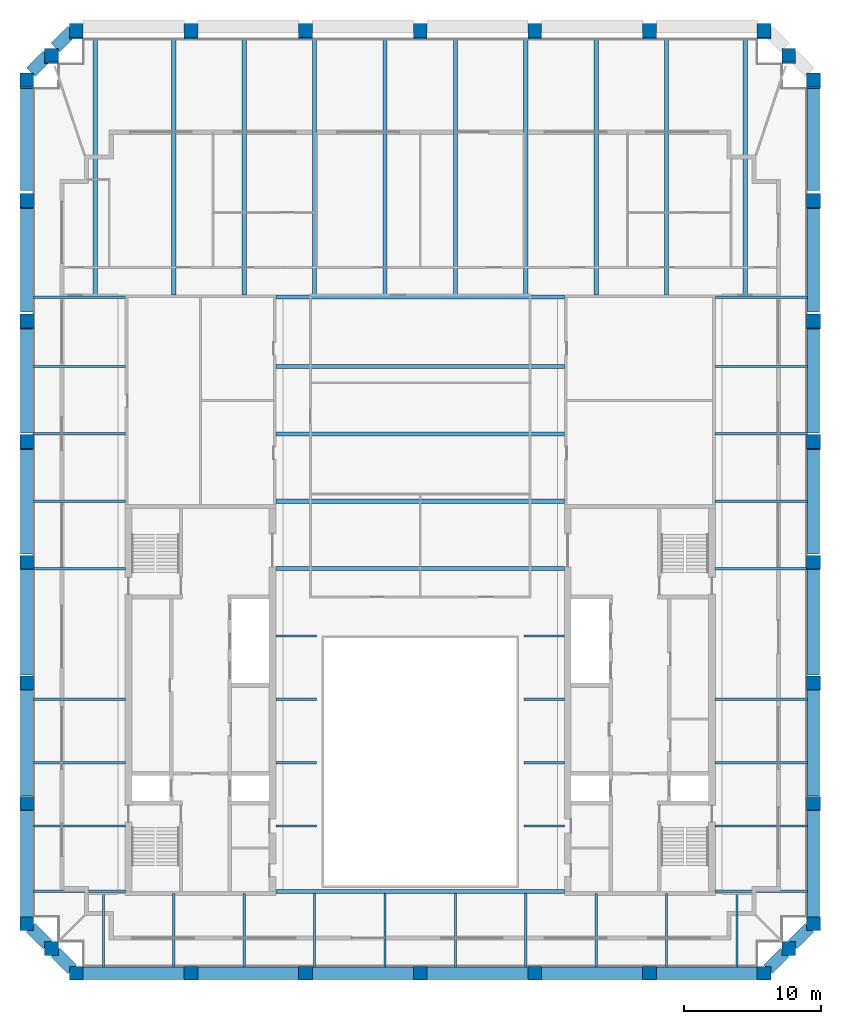
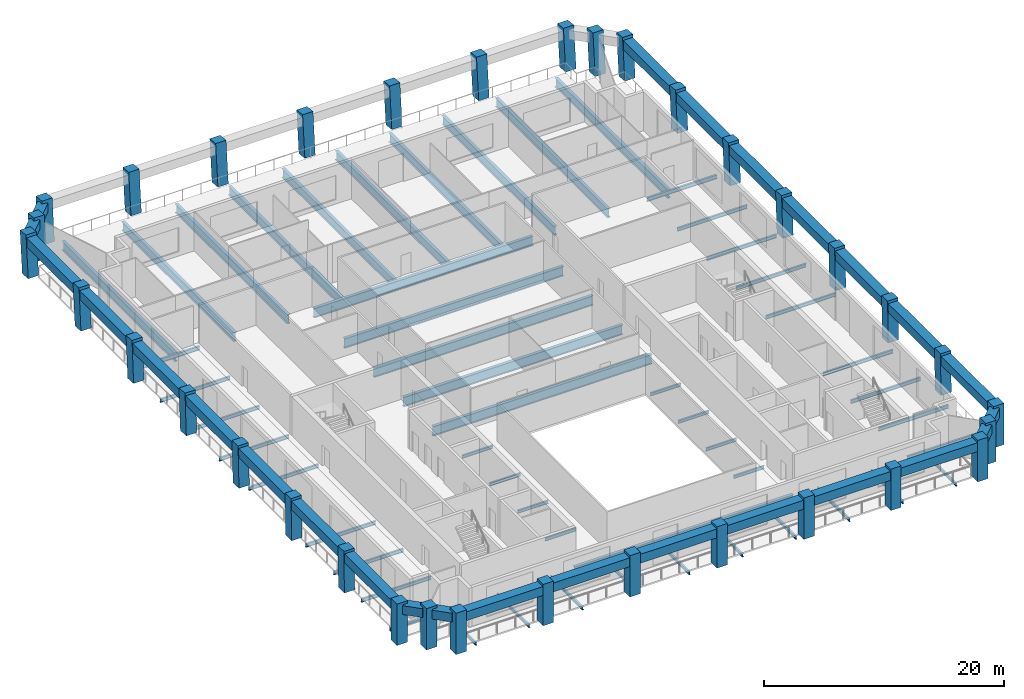
# One storey, part 1 of 9: 78 beams, 34 columns.
"""IFC4 building model written with IfcOpenShell, lengths in metres."""

import ifcopenshell
import ifcopenshell.guid

model = None  # the IFC model being written
_history = None  # IfcOwnerHistory: only IFC2X3 demands one
_inside = {}  # id of a spatial element -> (the spatial element, [elements in it])
_under = {}  # id of a project, library or spatial element -> (it, [spatial elements below it])
_declared = {}  # id of a project -> (the project, [libraries it declares])
_typed = {}  # id of a type object -> (the type object, [elements of that type])
_made_of = {}  # id of a material, layer set ... -> (it, [elements and type objects made of it])


def new_model(schema):
    """Start an empty IFC model of exactly this schema.

    Asked for "IFC4X3", IfcOpenShell would pick the latest addendum, in which some entities
    have other attributes; the version numbers below select the first issue.
    IFC2X3 requires an IfcOwnerHistory on every rooted entity: one is made here for all.
    """
    global model, _history
    if schema == "IFC4X3":
        model = ifcopenshell.file(schema_version=(4, 3, 0, 0))
    else:
        model = ifcopenshell.file(schema=schema)
    _inside.clear()
    _under.clear()
    _declared.clear()
    _typed.clear()
    _made_of.clear()
    _history = None
    if model.schema == "IFC2X3":
        org = make("IfcOrganization", Name="unknown")
        user = make(
            "IfcPersonAndOrganization",
            ThePerson=make("IfcPerson", FamilyName="unknown"),
            TheOrganization=org,
        )
        app = make(
            "IfcApplication",
            ApplicationDeveloper=org,
            Version="unknown",
            ApplicationFullName="unknown",
            ApplicationIdentifier="unknown",
        )
        _history = make(
            "IfcOwnerHistory",
            OwningUser=user,
            OwningApplication=app,
            ChangeAction="ADDED",
            CreationDate=0,
        )
    return model


def make(cls, **values):
    """One entity of the class cls with the attributes given. An attribute that is None is left unset."""
    return model.create_entity(
        cls, **{name: value for name, value in values.items() if value is not None}
    )


def rooted(cls, **values):
    """An entity with a GlobalId (a new one), such as an element, a storey or a relation."""
    return make(cls, GlobalId=ifcopenshell.guid.new(), OwnerHistory=_history, **values)


def si_unit(unit_type, name, prefix=None):
    """IfcSIUnit, for example si_unit("LENGTHUNIT", "METRE", prefix="MILLI")."""
    return make("IfcSIUnit", UnitType=unit_type, Prefix=prefix, Name=name)


def assignment(units):
    """IfcUnitAssignment: the units of a project."""
    return None if units is None else make("IfcUnitAssignment", Units=units)


def point(xyz):
    """IfcCartesianPoint."""
    return None if xyz is None else make("IfcCartesianPoint", Coordinates=xyz)


def direction(xyz):
    """IfcDirection."""
    return None if xyz is None else make("IfcDirection", DirectionRatios=xyz)


def frame(location, z_axis=None, x_axis=None):
    """IfcAxis2Placement3D, a coordinate frame: its origin and axes. An axis left out is left unset."""
    return make(
        "IfcAxis2Placement3D",
        Location=point(location),
        Axis=direction(z_axis),
        RefDirection=direction(x_axis),
    )


def frame_2d(location, x_axis=None):
    """IfcAxis2Placement2D, a coordinate frame in the plane: its origin and x axis."""
    return make(
        "IfcAxis2Placement2D", Location=point(location), RefDirection=direction(x_axis)
    )


def origin():
    """The frame at (0, 0, 0) with its axes left unset."""
    return frame((0.0, 0.0, 0.0))


def origin_2d():
    """The frame at (0, 0) in the plane with its x axis left unset."""
    return frame_2d((0.0, 0.0))


def place(relative_to, where):
    """IfcLocalPlacement: puts the frame where relative to a parent placement (None: the world)."""
    return make(
        "IfcLocalPlacement", PlacementRelTo=relative_to, RelativePlacement=where
    )


def context(
    kind, dimensions, precision=None, world=None, true_north=None, identifier=None
):
    """IfcGeometricRepresentationContext, for example the 3D "Model" context."""
    return make(
        "IfcGeometricRepresentationContext",
        ContextIdentifier=identifier,
        ContextType=kind,
        CoordinateSpaceDimension=dimensions,
        Precision=precision,
        WorldCoordinateSystem=world,
        TrueNorth=true_north,
    )


def subcontext(parent, identifier, kind, view, scale=None):
    """IfcGeometricRepresentationSubContext, for example "Body" below "Model"."""
    return make(
        "IfcGeometricRepresentationSubContext",
        ContextIdentifier=identifier,
        ContextType=kind,
        ParentContext=parent,
        TargetScale=scale,
        TargetView=view,
    )


def project(units=None, contexts=None):
    """IfcProject with its units and contexts."""
    return rooted(
        "IfcProject",
        Name="project",
        RepresentationContexts=contexts,
        UnitsInContext=assignment(units),
    )


def spatial(cls, under=None, at=None, **own):
    """A site, building, storey or space (cls), placed at a placement, below another one or the project."""
    s = rooted(cls, ObjectPlacement=at, **own)
    if under is not None:
        _under.setdefault(under.id(), (under, []))[1].append(s)
    return s


def profile(cls, at=None, kind="AREA", **sizes):
    """A parametric profile (cls). Its sizes go by their IFC names, for example OverallWidth=200.0."""
    return make(cls, ProfileType=kind, Position=at, **sizes)


def rectangle(**sizes):
    """IfcRectangleProfileDef."""
    return profile("IfcRectangleProfileDef", **sizes)


def i_section(**sizes):
    """IfcIShapeProfileDef."""
    return profile("IfcIShapeProfileDef", **sizes)


def extrude(swept, where, along, depth):
    """IfcExtrudedAreaSolid: the profile swept, set in the frame where, extruded along a direction by depth."""
    return make(
        "IfcExtrudedAreaSolid",
        SweptArea=swept,
        Position=where,
        ExtrudedDirection=direction(along),
        Depth=depth,
    )


def shape(context_of_items, identifier, shape_type, items):
    """IfcShapeRepresentation: the items that make up one representation, for example the "Body"."""
    return make(
        "IfcShapeRepresentation",
        ContextOfItems=context_of_items,
        RepresentationIdentifier=identifier,
        RepresentationType=shape_type,
        Items=items,
    )


def material(Name=None, Category=None):
    """IfcMaterial."""
    return make("IfcMaterial", Name=Name, Category=Category)


def material_profile(
    of_material, cross_section, Name=None, Category=None, Priority=None
):
    """IfcMaterialProfile: a cross section and its material."""
    return make(
        "IfcMaterialProfile",
        Name=Name,
        Material=of_material,
        Profile=cross_section,
        Priority=Priority,
        Category=Category,
    )


def profile_set(profiles, Name=None, composite=None):
    """IfcMaterialProfileSet."""
    return make(
        "IfcMaterialProfileSet",
        Name=Name,
        MaterialProfiles=profiles,
        CompositeProfile=composite,
    )


def made_of(thing, what):
    """Note that an element or type object is made of a material, layer set ...; save() writes the relation."""
    if what is not None:
        _made_of.setdefault(what.id(), (what, []))[1].append(thing)
    return thing


def type_object(cls, material=None, **own):
    """A type object (cls), such as IfcWallType, which elements share."""
    return made_of(rooted(cls, **own), material)


def element(
    cls,
    number,
    at=None,
    inside=None,
    cuts=None,
    type_object=None,
    material=None,
    context=None,
    identifier="Body",
    shape_type=None,
    held_by="IfcProductDefinitionShape",
    body=None,
    shapes=None,
    **own,
):
    """One element of the class cls, such as IfcWall. Its Tag is "e" and its number.

    at: its placement. inside: the storey or other place that contains it. cuts: it is an
    opening in that element (IfcRelVoidsElement). A single representation is given by context,
    identifier, shape_type and body (its items); several are given by shapes. held_by: the class
    of the entity that holds the representations. save() writes the other relations.
    """
    e = rooted(cls, Tag="e%d" % number, ObjectPlacement=at, **own)
    if body is not None:
        shapes = [shape(context, identifier, shape_type, body)]
    if shapes is not None:
        e.Representation = make(held_by, Representations=shapes)
    if inside is not None:
        _inside.setdefault(inside.id(), (inside, []))[1].append(e)
    if cuts is not None:
        rooted(
            "IfcRelVoidsElement", RelatingBuildingElement=cuts, RelatedOpeningElement=e
        )
    if type_object is not None:
        _typed.setdefault(type_object.id(), (type_object, []))[1].append(e)
    return made_of(e, material)


def aggregate(whole, parts):
    """IfcRelAggregates: a whole, such as a stair, and the parts it consists of."""
    return rooted("IfcRelAggregates", RelatingObject=whole, RelatedObjects=parts)


def save(model, path):
    """Write the relations noted so far, then the file.

    IfcRelAggregates (storeys below a building ...), IfcRelContainedInSpatialStructure (elements
    in a storey), IfcRelDefinesByType, IfcRelAssociatesMaterial and IfcRelDeclares: one each for
    every whole, place, type object, material and project.
    """
    for whole, parts in _under.values():
        aggregate(whole, parts)
    for where, things in _inside.values():
        rooted(
            "IfcRelContainedInSpatialStructure",
            RelatedElements=things,
            RelatingStructure=where,
        )
    for kind, things in _typed.values():
        rooted("IfcRelDefinesByType", RelatedObjects=things, RelatingType=kind)
    for what, things in _made_of.values():
        rooted("IfcRelAssociatesMaterial", RelatedObjects=things, RelatingMaterial=what)
    for by, libraries in _declared.values():
        rooted("IfcRelDeclares", RelatingContext=by, RelatedDefinitions=libraries)
    model.write(path)


model = new_model("IFC4")

# Units and contexts
model_context = context("Model", 3, precision=1e-05, world=origin(), true_north=direction((0.0, 1.0)))
body_context = subcontext(model_context, "Body", "Model", "MODEL_VIEW")
ifc_project = project(units=[si_unit("LENGTHUNIT", "METRE"), si_unit("AREAUNIT", "SQUARE_METRE"), si_unit("VOLUMEUNIT", "CUBIC_METRE"), si_unit("PLANEANGLEUNIT", "RADIAN"), si_unit("MASSUNIT", "GRAM", prefix="KILO")], contexts=[model_context])

# Site, building, storey
site_placement = place(None, origin())
site = spatial("IfcSite", under=ifc_project, at=site_placement, CompositionType="ELEMENT")
building_placement = place(site_placement, origin())
building = spatial("IfcBuilding", under=site, at=building_placement, Name="Ogive Exchange Tower", CompositionType="ELEMENT")
storey_placement = place(building_placement, frame((0.0, 0.0, 355.199951171875)))
storey = spatial("IfcBuildingStorey", under=building, at=storey_placement, Name="L78", CompositionType="ELEMENT", Elevation=355.199951171875)

# Columns
ifc_material_1 = material(Name="Precast concrete C70/85 (limestone faced)", Category="masonry")
ifc_material_profile_1 = material_profile(ifc_material_1, rectangle(XDim=1.0, YDim=1.0, at=origin_2d()), Name="1000 x 1000")
ifc_profile_set_1 = profile_set([ifc_material_profile_1], Name="Precast concrete C70/85 (limestone faced)")
column_type = type_object("IfcColumnType", Name="Precast exoskeleton leg 1000 x 1000 C70/85", PredefinedType="COLUMN", material=ifc_profile_set_1)
for number, where, z_axis, x_axis, name in (
    (1, (-25.050048828125, -8.39990234375, 0.0), (0.0, 0.0, 1.0), (1.0, 0.0, 0.0), "Exoskeleton leg 1"),
    (2, (-16.699951171875, -8.39990234375, 0.0), (0.0, 0.0, 1.0), (1.0, 0.0, 0.0), "Exoskeleton leg 2"),
    (3, (-8.35009765625, -8.39990234375, 0.0), (0.0, 0.0, 1.0), (1.0, 0.0, 0.0), "Exoskeleton leg 3"),
    (4, (0.0, -8.39990234375, 0.0), (0.0, 0.0, 1.0), (1.0, 0.0, 0.0), "Exoskeleton leg 4"),
    (5, (8.35009765625, -8.39990234375, 0.0), (0.0, 0.0, 1.0), (1.0, 0.0, 0.0), "Exoskeleton leg 5"),
    (6, (16.699951171875, -8.39990234375, 0.0), (0.0, 0.0, 1.0), (1.0, 0.0, 0.0), "Exoskeleton leg 6"),
    (7, (25.050048828125, -8.39990234375, 0.0), (0.0, 0.0, 1.0), (1.0, 0.0, 0.0), "Exoskeleton leg 7"),
    (8, (28.64990234375, -4.800048828125, 0.0), (0.0, 0.0, 1.0), (1.0, 0.0, 0.0), "Exoskeleton leg 8"),
):
    element("IfcColumn", number, at=place(storey_placement, frame(where, z_axis=z_axis, x_axis=x_axis)), inside=storey, type_object=column_type, Name=name, PredefinedType="COLUMN", context=body_context, shape_type="SweptSolid", body=[
        extrude(rectangle(XDim=1.0, YDim=1.0, at=origin_2d()), origin(), (0.0, 0.0, 1.0), 4.199951171875),
    ])
column_1_placement = place(storey_placement, frame((28.64990234375, 3.963623046875, 0.0), z_axis=(0.0, 0.013019881024, 0.999915237757), x_axis=(-1.0, 0.0, 0.0)))
element("IfcColumn", 9, at=column_1_placement, inside=storey, type_object=column_type, Name="Exoskeleton leg 9", PredefinedType="COLUMN", context=body_context, shape_type="SweptSolid", body=[
    extrude(rectangle(XDim=1.0, YDim=1.0, at=origin_2d()), origin(), (0.0, 0.0, 1.0), 4.2001953125),
])
column_2_placement = place(storey_placement, frame((28.64990234375, 12.727294921875, 0.0), z_axis=(0.0, 0.025975072843, 0.999662590873), x_axis=(-1.0, 0.0, 0.0)))
element("IfcColumn", 10, at=column_2_placement, inside=storey, type_object=column_type, Name="Exoskeleton leg 10", PredefinedType="COLUMN", context=body_context, shape_type="SweptSolid", body=[
    extrude(rectangle(XDim=1.0, YDim=1.0, at=origin_2d()), origin(), (0.0, 0.0, 1.0), 4.201416015625),
])
column_3_placement = place(storey_placement, frame((28.64990234375, 21.490966796875, 0.0), z_axis=(0.0, 0.038917190853, 0.999242439179), x_axis=(-1.0, 0.0, 0.0)))
element("IfcColumn", 11, at=column_3_placement, inside=storey, type_object=column_type, Name="Exoskeleton leg 11", PredefinedType="COLUMN", context=body_context, shape_type="SweptSolid", body=[
    extrude(rectangle(XDim=1.0, YDim=1.0, at=origin_2d()), origin(), (0.0, 0.0, 1.0), 4.203125),
])
column_4_placement = place(storey_placement, frame((28.64990234375, 30.25439453125, 0.0), z_axis=(0.0, 0.051897648879, 0.99865240902), x_axis=(-1.0, 0.0, 0.0)))
element("IfcColumn", 12, at=column_4_placement, inside=storey, type_object=column_type, Name="Exoskeleton leg 12", PredefinedType="COLUMN", context=body_context, shape_type="SweptSolid", body=[
    extrude(rectangle(XDim=1.0, YDim=1.0, at=origin_2d()), origin(), (0.0, 0.0, 1.0), 4.20556640625),
])
column_5_placement = place(storey_placement, frame((28.64990234375, 39.018310546875, 0.0), z_axis=(0.0, 0.064794093908, 0.997898654872), x_axis=(-1.0, 0.0, 0.0)))
element("IfcColumn", 13, at=column_5_placement, inside=storey, type_object=column_type, Name="Exoskeleton leg 13", PredefinedType="COLUMN", context=body_context, shape_type="SweptSolid", body=[
    extrude(rectangle(XDim=1.0, YDim=1.0, at=origin_2d()), origin(), (0.0, 0.0, 1.0), 4.208740234375),
])
column_6_placement = place(storey_placement, frame((28.64990234375, 47.78173828125, 0.0), z_axis=(0.0, 0.07771576013, 0.996975556685), x_axis=(-1.0, 0.0, 0.0)))
element("IfcColumn", 14, at=column_6_placement, inside=storey, type_object=column_type, Name="Exoskeleton leg 14", PredefinedType="COLUMN", context=body_context, shape_type="SweptSolid", body=[
    extrude(rectangle(XDim=1.0, YDim=1.0, at=origin_2d()), origin(), (0.0, 0.0, 1.0), 4.212646484375),
])
for number, where, z_axis, x_axis, name in (
    (15, (28.64990234375, 56.54541015625, 0.0), (0.0, 0.090540965689, 0.995892731941), (-1.0, 0.0, 0.0), "Exoskeleton leg 15"),
    (16, (25.050048828125, 60.1455078125, 0.0), (0.0, 0.090540965689, 0.995892731941), (-1.0, 0.0, 0.0), "Exoskeleton leg 16"),
    (17, (16.699951171875, 60.1455078125, 0.0), (0.0, 0.090540965689, 0.995892731941), (-1.0, 0.0, 0.0), "Exoskeleton leg 17"),
    (18, (8.35009765625, 60.1455078125, 0.0), (0.0, 0.090540965689, 0.995892731941), (-1.0, 0.0, 0.0), "Exoskeleton leg 18"),
    (19, (0.0, 60.1455078125, 0.0), (0.0, 0.090540965689, 0.995892731941), (-1.0, 0.0, 0.0), "Exoskeleton leg 19"),
    (20, (-8.35009765625, 60.1455078125, 0.0), (0.0, 0.090540965689, 0.995892731941), (-1.0, 0.0, 0.0), "Exoskeleton leg 20"),
    (21, (-16.699951171875, 60.1455078125, 0.0), (0.0, 0.090540965689, 0.995892731941), (-1.0, 0.0, 0.0), "Exoskeleton leg 21"),
    (22, (-25.050048828125, 60.1455078125, 0.0), (0.0, 0.090540965689, 0.995892731941), (-1.0, 0.0, 0.0), "Exoskeleton leg 22"),
    (23, (-28.64990234375, 56.54541015625, 0.0), (0.0, 0.090540965689, 0.995892731941), (-1.0, 0.0, 0.0), "Exoskeleton leg 23"),
):
    element("IfcColumn", number, at=place(storey_placement, frame(where, z_axis=z_axis, x_axis=x_axis)), inside=storey, type_object=column_type, Name=name, PredefinedType="COLUMN", context=body_context, shape_type="SweptSolid", body=[
        extrude(rectangle(XDim=1.0, YDim=1.0, at=origin_2d()), origin(), (0.0, 0.0, 1.0), 4.21728515625),
    ])
column_7_placement = place(storey_placement, frame((-28.64990234375, 47.78173828125, 0.0), z_axis=(0.0, 0.07771576013, 0.996975556685), x_axis=(-1.0, 0.0, 0.0)))
element("IfcColumn", 24, at=column_7_placement, inside=storey, type_object=column_type, Name="Exoskeleton leg 24", PredefinedType="COLUMN", context=body_context, shape_type="SweptSolid", body=[
    extrude(rectangle(XDim=1.0, YDim=1.0, at=origin_2d()), origin(), (0.0, 0.0, 1.0), 4.212646484375),
])
column_8_placement = place(storey_placement, frame((-28.64990234375, 39.018310546875, 0.0), z_axis=(0.0, 0.064794093908, 0.997898654872), x_axis=(-1.0, 0.0, 0.0)))
element("IfcColumn", 25, at=column_8_placement, inside=storey, type_object=column_type, Name="Exoskeleton leg 25", PredefinedType="COLUMN", context=body_context, shape_type="SweptSolid", body=[
    extrude(rectangle(XDim=1.0, YDim=1.0, at=origin_2d()), origin(), (0.0, 0.0, 1.0), 4.208740234375),
])
column_9_placement = place(storey_placement, frame((-28.64990234375, 30.25439453125, 0.0), z_axis=(0.0, 0.051897648879, 0.99865240902), x_axis=(-1.0, 0.0, 0.0)))
element("IfcColumn", 26, at=column_9_placement, inside=storey, type_object=column_type, Name="Exoskeleton leg 26", PredefinedType="COLUMN", context=body_context, shape_type="SweptSolid", body=[
    extrude(rectangle(XDim=1.0, YDim=1.0, at=origin_2d()), origin(), (0.0, 0.0, 1.0), 4.20556640625),
])
column_10_placement = place(storey_placement, frame((-28.64990234375, 21.490966796875, 0.0), z_axis=(0.0, 0.038917190853, 0.999242439179), x_axis=(-1.0, 0.0, 0.0)))
element("IfcColumn", 27, at=column_10_placement, inside=storey, type_object=column_type, Name="Exoskeleton leg 27", PredefinedType="COLUMN", context=body_context, shape_type="SweptSolid", body=[
    extrude(rectangle(XDim=1.0, YDim=1.0, at=origin_2d()), origin(), (0.0, 0.0, 1.0), 4.203125),
])
column_11_placement = place(storey_placement, frame((-28.64990234375, 12.727294921875, 0.0), z_axis=(0.0, 0.025975072843, 0.999662590873), x_axis=(-1.0, 0.0, 0.0)))
element("IfcColumn", 28, at=column_11_placement, inside=storey, type_object=column_type, Name="Exoskeleton leg 28", PredefinedType="COLUMN", context=body_context, shape_type="SweptSolid", body=[
    extrude(rectangle(XDim=1.0, YDim=1.0, at=origin_2d()), origin(), (0.0, 0.0, 1.0), 4.201416015625),
])
column_12_placement = place(storey_placement, frame((-28.64990234375, 3.963623046875, 0.0), z_axis=(0.0, 0.013019881024, 0.999915237757), x_axis=(-1.0, 0.0, 0.0)))
element("IfcColumn", 29, at=column_12_placement, inside=storey, type_object=column_type, Name="Exoskeleton leg 29", PredefinedType="COLUMN", context=body_context, shape_type="SweptSolid", body=[
    extrude(rectangle(XDim=1.0, YDim=1.0, at=origin_2d()), origin(), (0.0, 0.0, 1.0), 4.2001953125),
])
for number, where, z_axis, x_axis, name in (
    (30, (-28.64990234375, -4.800048828125, 0.0), (0.0, 0.0, 1.0), (1.0, 0.0, 0.0), "Exoskeleton leg 30"),
    (31, (26.85009765625, -6.60009765625, 0.0), (0.0, 0.0, 1.0), (1.0, 0.0, 0.0), "Exoskeleton leg 31"),
):
    element("IfcColumn", number, at=place(storey_placement, frame(where, z_axis=z_axis, x_axis=x_axis)), inside=storey, type_object=column_type, Name=name, PredefinedType="COLUMN", context=body_context, shape_type="SweptSolid", body=[
        extrude(rectangle(XDim=1.0, YDim=1.0, at=origin_2d()), origin(), (0.0, 0.0, 1.0), 4.199951171875),
    ])
for number, where, z_axis, x_axis, name in (
    (32, (26.85009765625, 58.345458984375, 0.0), (0.0, 0.090540965689, 0.995892731941), (-1.0, 0.0, 0.0), "Exoskeleton leg 32"),
    (33, (-26.85009765625, 58.345458984375, 0.0), (0.0, 0.090540965689, 0.995892731941), (-1.0, 0.0, 0.0), "Exoskeleton leg 33"),
):
    element("IfcColumn", number, at=place(storey_placement, frame(where, z_axis=z_axis, x_axis=x_axis)), inside=storey, type_object=column_type, Name=name, PredefinedType="COLUMN", context=body_context, shape_type="SweptSolid", body=[
        extrude(rectangle(XDim=1.0, YDim=1.0, at=origin_2d()), origin(), (0.0, 0.0, 1.0), 4.21728515625),
    ])
column_13_placement = place(storey_placement, frame((-26.85009765625, -6.60009765625, 0.0), z_axis=(0.0, 0.0, 1.0), x_axis=(1.0, 0.0, 0.0)))
element("IfcColumn", 34, at=column_13_placement, inside=storey, type_object=column_type, Name="Exoskeleton leg 34", PredefinedType="COLUMN", context=body_context, shape_type="SweptSolid", body=[
    extrude(rectangle(XDim=1.0, YDim=1.0, at=origin_2d()), origin(), (0.0, 0.0, 1.0), 4.199951171875),
])

# Beams
ifc_material_2 = material(Name="Steel ASTM A992 Gr50", Category="steel")
ifc_material_profile_2 = material_profile(ifc_material_2, i_section(OverallWidth=0.300048828125, OverallDepth=0.97998046875, WebThickness=0.0166015625, FlangeThickness=0.026123046875, at=origin_2d()), Name="W1000x249")
ifc_profile_set_2 = profile_set([ifc_material_profile_2], Name="Steel ASTM A992 Gr50")
beam_type_1 = type_object("IfcBeamType", Name="Floor beam W1000x249", PredefinedType="JOIST", material=ifc_profile_set_2)
for number, where, z_axis, x_axis, name in (
    (35, (-10.52001953125, 21.06201171875, -0.68994140625), (1.0, 0.0, 0.0), (0.0, 1.0, 0.0), "Floor beam"),
    (36, (-10.52001953125, 25.968994140625, -0.68994140625), (1.0, 0.0, 0.0), (0.0, 1.0, 0.0), "Floor beam"),
    (37, (-10.52001953125, 30.8759765625, -0.68994140625), (1.0, 0.0, 0.0), (0.0, 1.0, 0.0), "Floor beam"),
    (38, (-10.52001953125, 35.782958984375, -0.68994140625), (1.0, 0.0, 0.0), (0.0, 1.0, 0.0), "Floor beam"),
):
    element("IfcBeam", number, at=place(storey_placement, frame(where, z_axis=z_axis, x_axis=x_axis)), inside=storey, type_object=beam_type_1, Name=name, PredefinedType="JOIST", context=body_context, shape_type="SweptSolid", body=[
        extrude(i_section(OverallWidth=0.300048828125, OverallDepth=0.97998046875, WebThickness=0.0166015625, FlangeThickness=0.026123046875, at=origin_2d()), origin(), (0.0, 0.0, 1.0), 21.0400390625),
    ])
ifc_material_profile_3 = material_profile(ifc_material_2, i_section(OverallWidth=0.1650390625, OverallDepth=0.31005859375, WebThickness=0.005859375, FlangeThickness=0.009765625, at=origin_2d()), Name="W310x38.7")
ifc_profile_set_3 = profile_set([ifc_material_profile_3], Name="Steel ASTM A992 Gr50")
beam_type_2 = type_object("IfcBeamType", Name="Floor beam W310x38.7", PredefinedType="JOIST", material=ifc_profile_set_3)
for number, where, z_axis, x_axis, name in (
    (39, (-10.52001953125, 2.3212890625, -0.35498046875), (1.0, 0.0, 0.0), (0.0, 1.0, 0.0), "Floor beam"),
    (40, (7.570068359375, 2.3212890625, -0.35498046875), (1.0, 0.0, 0.0), (0.0, 1.0, 0.0), "Floor beam"),
    (41, (-10.52001953125, 6.9326171875, -0.35498046875), (1.0, 0.0, 0.0), (0.0, 1.0, 0.0), "Floor beam"),
    (42, (7.570068359375, 6.9326171875, -0.35498046875), (1.0, 0.0, 0.0), (0.0, 1.0, 0.0), "Floor beam"),
    (43, (-10.52001953125, 11.543701171875, -0.35498046875), (1.0, 0.0, 0.0), (0.0, 1.0, 0.0), "Floor beam"),
    (44, (7.570068359375, 11.543701171875, -0.35498046875), (1.0, 0.0, 0.0), (0.0, 1.0, 0.0), "Floor beam"),
):
    element("IfcBeam", number, at=place(storey_placement, frame(where, z_axis=z_axis, x_axis=x_axis)), inside=storey, type_object=beam_type_2, Name=name, PredefinedType="JOIST", context=body_context, shape_type="SweptSolid", body=[
        extrude(i_section(OverallWidth=0.1650390625, OverallDepth=0.31005859375, WebThickness=0.005859375, FlangeThickness=0.009765625, at=origin_2d()), origin(), (0.0, 0.0, 1.0), 2.949951171875),
    ])
beam_1_placement = place(storey_placement, frame((-23.07275390625, -7.949951171875, -0.35498046875), z_axis=(0.0, 1.0, 0.0), x_axis=(-1.0, 0.0, 0.0)))
element("IfcBeam", 45, at=beam_1_placement, inside=storey, type_object=beam_type_2, Name="Floor beam", PredefinedType="JOIST", context=body_context, shape_type="SweptSolid", body=[
    extrude(i_section(OverallWidth=0.1650390625, OverallDepth=0.31005859375, WebThickness=0.005859375, FlangeThickness=0.009765625, at=origin_2d()), origin(), (0.0, 0.0, 1.0), 5.416015625),
])
for number, where, z_axis, x_axis, name in (
    (46, (-17.945556640625, -7.949951171875, -0.35498046875), (0.0, 1.0, 0.0), (-1.0, 0.0, 0.0), "Floor beam"),
    (47, (-12.818115234375, -7.949951171875, -0.35498046875), (0.0, 1.0, 0.0), (-1.0, 0.0, 0.0), "Floor beam"),
):
    element("IfcBeam", number, at=place(storey_placement, frame(where, z_axis=z_axis, x_axis=x_axis)), inside=storey, type_object=beam_type_2, Name=name, PredefinedType="JOIST", context=body_context, shape_type="SweptSolid", body=[
        extrude(i_section(OverallWidth=0.1650390625, OverallDepth=0.31005859375, WebThickness=0.005859375, FlangeThickness=0.009765625, at=origin_2d()), origin(), (0.0, 0.0, 1.0), 5.349853515625),
    ])
for number, where, z_axis, x_axis, name in (
    (48, (-7.69091796875, -7.949951171875, -0.35498046875), (0.0, 1.0, 0.0), (-1.0, 0.0, 0.0), "Floor beam"),
    (49, (-2.563720703125, -7.949951171875, -0.35498046875), (0.0, 1.0, 0.0), (-1.0, 0.0, 0.0), "Floor beam"),
    (50, (2.563720703125, -7.949951171875, -0.35498046875), (0.0, 1.0, 0.0), (-1.0, 0.0, 0.0), "Floor beam"),
    (51, (7.69091796875, -7.949951171875, -0.35498046875), (0.0, 1.0, 0.0), (-1.0, 0.0, 0.0), "Floor beam"),
):
    element("IfcBeam", number, at=place(storey_placement, frame(where, z_axis=z_axis, x_axis=x_axis)), inside=storey, type_object=beam_type_2, Name=name, PredefinedType="JOIST", context=body_context, shape_type="SweptSolid", body=[
        extrude(i_section(OverallWidth=0.1650390625, OverallDepth=0.31005859375, WebThickness=0.005859375, FlangeThickness=0.009765625, at=origin_2d()), origin(), (0.0, 0.0, 1.0), 5.35498046875),
    ])
for number, where, z_axis, x_axis, name in (
    (52, (12.818115234375, -7.949951171875, -0.35498046875), (0.0, 1.0, 0.0), (-1.0, 0.0, 0.0), "Floor beam"),
    (53, (17.945556640625, -7.949951171875, -0.35498046875), (0.0, 1.0, 0.0), (-1.0, 0.0, 0.0), "Floor beam"),
):
    element("IfcBeam", number, at=place(storey_placement, frame(where, z_axis=z_axis, x_axis=x_axis)), inside=storey, type_object=beam_type_2, Name=name, PredefinedType="JOIST", context=body_context, shape_type="SweptSolid", body=[
        extrude(i_section(OverallWidth=0.1650390625, OverallDepth=0.31005859375, WebThickness=0.005859375, FlangeThickness=0.009765625, at=origin_2d()), origin(), (0.0, 0.0, 1.0), 5.349853515625),
    ])
beam_2_placement = place(storey_placement, frame((23.07275390625, -7.949951171875, -0.35498046875), z_axis=(0.0, 1.0, 0.0), x_axis=(-1.0, 0.0, 0.0)))
element("IfcBeam", 54, at=beam_2_placement, inside=storey, type_object=beam_type_2, Name="Floor beam", PredefinedType="JOIST", context=body_context, shape_type="SweptSolid", body=[
    extrude(i_section(OverallWidth=0.1650390625, OverallDepth=0.31005859375, WebThickness=0.005859375, FlangeThickness=0.009765625, at=origin_2d()), origin(), (0.0, 0.0, 1.0), 5.416015625),
])
ifc_material_profile_4 = material_profile(ifc_material_2, i_section(OverallWidth=0.1708984375, OverallDepth=0.35595703125, WebThickness=0.00732421875, FlangeThickness=0.01171875, at=origin_2d()), Name="W360x51")
ifc_profile_set_4 = profile_set([ifc_material_profile_4], Name="Steel ASTM A992 Gr50")
beam_type_3 = type_object("IfcBeamType", Name="Floor beam W360x51", PredefinedType="JOIST", material=ifc_profile_set_4)
for number, where, z_axis, x_axis, name in (
    (55, (-28.199951171875, 2.3212890625, -0.3779296875), (1.0, 0.0, 0.0), (0.0, 1.0, 0.0), "Floor beam"),
    (56, (21.47998046875, 2.3212890625, -0.3779296875), (1.0, 0.0, 0.0), (0.0, 1.0, 0.0), "Floor beam"),
    (57, (-28.199951171875, 6.9326171875, -0.3779296875), (1.0, 0.0, 0.0), (0.0, 1.0, 0.0), "Floor beam"),
    (58, (21.47998046875, 6.9326171875, -0.3779296875), (1.0, 0.0, 0.0), (0.0, 1.0, 0.0), "Floor beam"),
    (59, (-28.199951171875, 11.543701171875, -0.3779296875), (1.0, 0.0, 0.0), (0.0, 1.0, 0.0), "Floor beam"),
    (60, (21.47998046875, 11.543701171875, -0.3779296875), (1.0, 0.0, 0.0), (0.0, 1.0, 0.0), "Floor beam"),
    (61, (-28.199951171875, 21.06201171875, -0.3779296875), (1.0, 0.0, 0.0), (0.0, 1.0, 0.0), "Floor beam"),
    (62, (21.47998046875, 21.06201171875, -0.3779296875), (1.0, 0.0, 0.0), (0.0, 1.0, 0.0), "Floor beam"),
    (63, (-28.199951171875, 25.968994140625, -0.3779296875), (1.0, 0.0, 0.0), (0.0, 1.0, 0.0), "Floor beam"),
    (64, (21.47998046875, 25.968994140625, -0.3779296875), (1.0, 0.0, 0.0), (0.0, 1.0, 0.0), "Floor beam"),
    (65, (-28.199951171875, 30.8759765625, -0.3779296875), (1.0, 0.0, 0.0), (0.0, 1.0, 0.0), "Floor beam"),
    (66, (21.47998046875, 30.8759765625, -0.3779296875), (1.0, 0.0, 0.0), (0.0, 1.0, 0.0), "Floor beam"),
    (67, (-28.199951171875, 35.782958984375, -0.3779296875), (1.0, 0.0, 0.0), (0.0, 1.0, 0.0), "Floor beam"),
    (68, (21.47998046875, 35.782958984375, -0.3779296875), (1.0, 0.0, 0.0), (0.0, 1.0, 0.0), "Floor beam"),
):
    element("IfcBeam", number, at=place(storey_placement, frame(where, z_axis=z_axis, x_axis=x_axis)), inside=storey, type_object=beam_type_3, Name=name, PredefinedType="JOIST", context=body_context, shape_type="SweptSolid", body=[
        extrude(i_section(OverallWidth=0.1708984375, OverallDepth=0.35595703125, WebThickness=0.00732421875, FlangeThickness=0.01171875, at=origin_2d()), origin(), (0.0, 0.0, 1.0), 6.719970703125),
    ])
ifc_material_profile_5 = material_profile(ifc_material_2, i_section(OverallWidth=0.304931640625, OverallDepth=0.904052734375, WebThickness=0.01513671875, FlangeThickness=0.02001953125, at=origin_2d()), Name="W920x201")
ifc_profile_set_5 = profile_set([ifc_material_profile_5], Name="Steel ASTM A992 Gr50")
beam_type_4 = type_object("IfcBeamType", Name="Floor beam W920x201", PredefinedType="JOIST", material=ifc_profile_set_5)
beam_3_placement = place(storey_placement, frame((-23.672607421875, 40.93408203125, -0.65185546875), z_axis=(0.0, 1.0, 0.0), x_axis=(-1.0, 0.0, 0.0)))
element("IfcBeam", 69, at=beam_3_placement, inside=storey, type_object=beam_type_4, Name="Floor beam", PredefinedType="JOIST", context=body_context, shape_type="SweptSolid", body=[
    extrude(i_section(OverallWidth=0.304931640625, OverallDepth=0.904052734375, WebThickness=0.01513671875, FlangeThickness=0.02001953125, at=origin_2d()), origin(), (0.0, 0.0, 1.0), 18.761474609375),
])
for number, where, z_axis, x_axis, name in (
    (70, (-17.945556640625, 41.0, -0.65185546875), (0.0, 1.0, 0.0), (-1.0, 0.0, 0.0), "Floor beam"),
    (71, (-12.818115234375, 41.0, -0.65185546875), (0.0, 1.0, 0.0), (-1.0, 0.0, 0.0), "Floor beam"),
):
    element("IfcBeam", number, at=place(storey_placement, frame(where, z_axis=z_axis, x_axis=x_axis)), inside=storey, type_object=beam_type_4, Name=name, PredefinedType="JOIST", context=body_context, shape_type="SweptSolid", body=[
        extrude(i_section(OverallWidth=0.304931640625, OverallDepth=0.904052734375, WebThickness=0.01513671875, FlangeThickness=0.02001953125, at=origin_2d()), origin(), (0.0, 0.0, 1.0), 18.695556640625),
    ])
for number, where, z_axis, x_axis, name in (
    (72, (-7.69091796875, 40.9951171875, -0.65185546875), (0.0, 1.0, 0.0), (-1.0, 0.0, 0.0), "Floor beam"),
    (73, (-2.563720703125, 40.9951171875, -0.65185546875), (0.0, 1.0, 0.0), (-1.0, 0.0, 0.0), "Floor beam"),
    (74, (2.563720703125, 40.9951171875, -0.65185546875), (0.0, 1.0, 0.0), (-1.0, 0.0, 0.0), "Floor beam"),
    (75, (7.69091796875, 40.9951171875, -0.65185546875), (0.0, 1.0, 0.0), (-1.0, 0.0, 0.0), "Floor beam"),
):
    element("IfcBeam", number, at=place(storey_placement, frame(where, z_axis=z_axis, x_axis=x_axis)), inside=storey, type_object=beam_type_4, Name=name, PredefinedType="JOIST", context=body_context, shape_type="SweptSolid", body=[
        extrude(i_section(OverallWidth=0.304931640625, OverallDepth=0.904052734375, WebThickness=0.01513671875, FlangeThickness=0.02001953125, at=origin_2d()), origin(), (0.0, 0.0, 1.0), 18.700439453125),
    ])
for number, where, z_axis, x_axis, name in (
    (76, (12.818115234375, 41.0, -0.65185546875), (0.0, 1.0, 0.0), (-1.0, 0.0, 0.0), "Floor beam"),
    (77, (17.945556640625, 41.0, -0.65185546875), (0.0, 1.0, 0.0), (-1.0, 0.0, 0.0), "Floor beam"),
):
    element("IfcBeam", number, at=place(storey_placement, frame(where, z_axis=z_axis, x_axis=x_axis)), inside=storey, type_object=beam_type_4, Name=name, PredefinedType="JOIST", context=body_context, shape_type="SweptSolid", body=[
        extrude(i_section(OverallWidth=0.304931640625, OverallDepth=0.904052734375, WebThickness=0.01513671875, FlangeThickness=0.02001953125, at=origin_2d()), origin(), (0.0, 0.0, 1.0), 18.695556640625),
    ])
beam_4_placement = place(storey_placement, frame((23.672607421875, 40.93408203125, -0.65185546875), z_axis=(0.0, 1.0, 0.0), x_axis=(-1.0, 0.0, 0.0)))
element("IfcBeam", 78, at=beam_4_placement, inside=storey, type_object=beam_type_4, Name="Floor beam", PredefinedType="JOIST", context=body_context, shape_type="SweptSolid", body=[
    extrude(i_section(OverallWidth=0.304931640625, OverallDepth=0.904052734375, WebThickness=0.01513671875, FlangeThickness=0.02001953125, at=origin_2d()), origin(), (0.0, 0.0, 1.0), 18.761474609375),
])
ifc_material_profile_6 = material_profile(ifc_material_2, i_section(OverallWidth=0.300048828125, OverallDepth=0.97998046875, WebThickness=0.0166015625, FlangeThickness=0.026123046875, at=origin_2d()), Name="W1000x249")
ifc_profile_set_6 = profile_set([ifc_material_profile_6], Name="Steel ASTM A992 Gr50")
beam_type_5 = type_object("IfcBeamType", Name="Girder W1000x249", PredefinedType="BEAM", material=ifc_profile_set_6)
for number, where, z_axis, x_axis, name in (
    (79, (-10.52001953125, -2.445068359375, -0.68994140625), (1.0, 0.0, 0.0), (0.0, 1.0, 0.0), "Header girder"),
    (80, (-10.52001953125, 40.844970703125, -0.68994140625), (1.0, 0.0, 0.0), (0.0, 1.0, 0.0), "Header girder"),
):
    element("IfcBeam", number, at=place(storey_placement, frame(where, z_axis=z_axis, x_axis=x_axis)), inside=storey, type_object=beam_type_5, Name=name, PredefinedType="BEAM", context=body_context, shape_type="SweptSolid", body=[
        extrude(i_section(OverallWidth=0.300048828125, OverallDepth=0.97998046875, WebThickness=0.0166015625, FlangeThickness=0.026123046875, at=origin_2d()), origin(), (0.0, 0.0, 1.0), 21.0400390625),
    ])
ifc_material_profile_7 = material_profile(ifc_material_2, i_section(OverallWidth=0.1650390625, OverallDepth=0.31005859375, WebThickness=0.005859375, FlangeThickness=0.009765625, at=origin_2d()), Name="W310x38.7")
ifc_profile_set_7 = profile_set([ifc_material_profile_7], Name="Steel ASTM A992 Gr50")
beam_type_6 = type_object("IfcBeamType", Name="Girder W310x38.7", PredefinedType="BEAM", material=ifc_profile_set_7)
for number, where, z_axis, x_axis, name in (
    (81, (-10.52001953125, 16.155029296875, -0.35498046875), (1.0, 0.0, 0.0), (0.0, 1.0, 0.0), "Trimmer girder"),
    (82, (7.570068359375, 16.155029296875, -0.35498046875), (1.0, 0.0, 0.0), (0.0, 1.0, 0.0), "Trimmer girder"),
):
    element("IfcBeam", number, at=place(storey_placement, frame(where, z_axis=z_axis, x_axis=x_axis)), inside=storey, type_object=beam_type_6, Name=name, PredefinedType="BEAM", context=body_context, shape_type="SweptSolid", body=[
        extrude(i_section(OverallWidth=0.1650390625, OverallDepth=0.31005859375, WebThickness=0.005859375, FlangeThickness=0.009765625, at=origin_2d()), origin(), (0.0, 0.0, 1.0), 2.949951171875),
    ])
ifc_material_profile_8 = material_profile(ifc_material_2, i_section(OverallWidth=0.177978515625, OverallDepth=0.406005859375, WebThickness=0.0078125, FlangeThickness=0.0126953125, at=origin_2d()), Name="W410x60")
ifc_profile_set_8 = profile_set([ifc_material_profile_8], Name="Steel ASTM A992 Gr50")
beam_type_7 = type_object("IfcBeamType", Name="Girder W410x60", PredefinedType="BEAM", material=ifc_profile_set_8)
for number, where, z_axis, x_axis, name in (
    (83, (-28.199951171875, -2.445068359375, -0.40283203125), (1.0, 0.0, 0.0), (0.0, 1.0, 0.0), "Header girder"),
    (84, (21.47998046875, -2.445068359375, -0.40283203125), (1.0, 0.0, 0.0), (0.0, 1.0, 0.0), "Header girder"),
    (85, (-28.199951171875, 40.844970703125, -0.40283203125), (1.0, 0.0, 0.0), (0.0, 1.0, 0.0), "Header girder"),
    (86, (21.47998046875, 40.844970703125, -0.40283203125), (1.0, 0.0, 0.0), (0.0, 1.0, 0.0), "Header girder"),
):
    element("IfcBeam", number, at=place(storey_placement, frame(where, z_axis=z_axis, x_axis=x_axis)), inside=storey, type_object=beam_type_7, Name=name, PredefinedType="BEAM", context=body_context, shape_type="SweptSolid", body=[
        extrude(i_section(OverallWidth=0.177978515625, OverallDepth=0.406005859375, WebThickness=0.0078125, FlangeThickness=0.0126953125, at=origin_2d()), origin(), (0.0, 0.0, 1.0), 6.719970703125),
    ])
ifc_material_profile_9 = material_profile(ifc_material_1, rectangle(XDim=0.89990234375, YDim=0.89990234375, at=origin_2d()), Name="900 x 900")
ifc_profile_set_9 = profile_set([ifc_material_profile_9], Name="Precast concrete C70/85 (limestone faced)")
beam_type_8 = type_object("IfcBeamType", Name="Precast spandrel 900 x 900 C70/85", PredefinedType="SPANDREL", material=ifc_profile_set_9)
beam_5_placement = place(storey_placement, frame((-24.570068359375, -8.39990234375, 3.5), z_axis=(1.0, 0.0, 0.0), x_axis=(0.0, 1.0, 0.0)))
element("IfcBeam", 87, at=beam_5_placement, inside=storey, type_object=beam_type_8, Name="Spandrel 1", PredefinedType="SPANDREL", context=body_context, shape_type="SweptSolid", body=[
    extrude(rectangle(XDim=0.89990234375, YDim=0.89990234375, at=origin_2d()), origin(), (0.0, 0.0, 1.0), 7.39013671875),
])
beam_6_placement = place(storey_placement, frame((-16.219970703125, -8.39990234375, 3.5), z_axis=(1.0, 0.0, 0.0), x_axis=(0.0, 1.0, 0.0)))
element("IfcBeam", 88, at=beam_6_placement, inside=storey, type_object=beam_type_8, Name="Spandrel 2", PredefinedType="SPANDREL", context=body_context, shape_type="SweptSolid", body=[
    extrude(rectangle(XDim=0.89990234375, YDim=0.89990234375, at=origin_2d()), origin(), (0.0, 0.0, 1.0), 7.389892578125),
])
for number, where, z_axis, x_axis, name in (
    (89, (-7.8701171875, -8.39990234375, 3.5), (1.0, 0.0, 0.0), (0.0, 1.0, 0.0), "Spandrel 3"),
    (90, (0.47998046875, -8.39990234375, 3.5), (1.0, 0.0, 0.0), (0.0, 1.0, 0.0), "Spandrel 4"),
):
    element("IfcBeam", number, at=place(storey_placement, frame(where, z_axis=z_axis, x_axis=x_axis)), inside=storey, type_object=beam_type_8, Name=name, PredefinedType="SPANDREL", context=body_context, shape_type="SweptSolid", body=[
        extrude(rectangle(XDim=0.89990234375, YDim=0.89990234375, at=origin_2d()), origin(), (0.0, 0.0, 1.0), 7.39013671875),
    ])
beam_7_placement = place(storey_placement, frame((8.830078125, -8.39990234375, 3.5), z_axis=(1.0, 0.0, 0.0), x_axis=(0.0, 1.0, 0.0)))
element("IfcBeam", 91, at=beam_7_placement, inside=storey, type_object=beam_type_8, Name="Spandrel 5", PredefinedType="SPANDREL", context=body_context, shape_type="SweptSolid", body=[
    extrude(rectangle(XDim=0.89990234375, YDim=0.89990234375, at=origin_2d()), origin(), (0.0, 0.0, 1.0), 7.389892578125),
])
beam_8_placement = place(storey_placement, frame((17.179931640625, -8.39990234375, 3.5), z_axis=(1.0, 0.0, 0.0), x_axis=(0.0, 1.0, 0.0)))
element("IfcBeam", 92, at=beam_8_placement, inside=storey, type_object=beam_type_8, Name="Spandrel 6", PredefinedType="SPANDREL", context=body_context, shape_type="SweptSolid", body=[
    extrude(rectangle(XDim=0.89990234375, YDim=0.89990234375, at=origin_2d()), origin(), (0.0, 0.0, 1.0), 7.39013671875),
])
for number, where, z_axis, x_axis, name in (
    (93, (25.337890625, -8.112060546875, 3.5), (0.707106781187, 0.707106781187, 0.0), (-0.707106781187, 0.707106781187, 0.0), "Spandrel 7"),
    (94, (27.137939453125, -6.31201171875, 3.5), (0.707106781187, 0.707106781187, 0.0), (-0.707106781187, 0.707106781187, 0.0), "Spandrel 8"),
):
    element("IfcBeam", number, at=place(storey_placement, frame(where, z_axis=z_axis, x_axis=x_axis)), inside=storey, type_object=beam_type_8, Name=name, PredefinedType="SPANDREL", context=body_context, shape_type="SweptSolid", body=[
        extrude(rectangle(XDim=0.89990234375, YDim=0.89990234375, at=origin_2d()), origin(), (0.0, 0.0, 1.0), 1.731201171875),
    ])
for number, where, z_axis, x_axis, name in (
    (95, (28.64990234375, -4.320068359375, 3.5), (0.0, 1.0, 0.0), (-1.0, 0.0, 0.0), "Spandrel 9"),
    (96, (28.64990234375, 4.498291015625, 3.5), (0.0, 1.0, 0.0), (-1.0, 0.0, 0.0), "Spandrel 10"),
    (97, (28.64990234375, 13.31640625, 3.5), (0.0, 1.0, 0.0), (-1.0, 0.0, 0.0), "Spandrel 11"),
    (98, (28.64990234375, 22.134521484375, 3.5), (0.0, 1.0, 0.0), (-1.0, 0.0, 0.0), "Spandrel 12"),
    (99, (28.64990234375, 30.95263671875, 3.5), (0.0, 1.0, 0.0), (-1.0, 0.0, 0.0), "Spandrel 13"),
    (100, (28.64990234375, 39.77099609375, 3.5), (0.0, 1.0, 0.0), (-1.0, 0.0, 0.0), "Spandrel 14"),
    (101, (28.64990234375, 48.589111328125, 3.5), (0.0, 1.0, 0.0), (-1.0, 0.0, 0.0), "Spandrel 15"),
):
    element("IfcBeam", number, at=place(storey_placement, frame(where, z_axis=z_axis, x_axis=x_axis)), inside=storey, type_object=beam_type_8, Name=name, PredefinedType="SPANDREL", context=body_context, shape_type="SweptSolid", body=[
        extrude(rectangle(XDim=0.89990234375, YDim=0.89990234375, at=origin_2d()), origin(), (0.0, 0.0, 1.0), 7.858154296875),
    ])
for number, where, z_axis, x_axis, name in (
    (102, (-25.337890625, 60.239501953125, 3.5), (-0.707036271462, -0.707177283881, 0.0), (0.707177283881, -0.707036271462, 0.0), "Spandrel 24"),
    (103, (-27.137939453125, 58.439453125, 3.5), (-0.707036271462, -0.707177283881, 0.0), (0.707177283881, -0.707036271462, 0.0), "Spandrel 25"),
):
    element("IfcBeam", number, at=place(storey_placement, frame(where, z_axis=z_axis, x_axis=x_axis)), inside=storey, type_object=beam_type_8, Name=name, PredefinedType="SPANDREL", context=body_context, shape_type="SweptSolid", body=[
        extrude(rectangle(XDim=0.89990234375, YDim=0.89990234375, at=origin_2d()), origin(), (0.0, 0.0, 1.0), 1.7314453125),
    ])
for number, where, z_axis, x_axis, name in (
    (104, (-28.64990234375, 56.447265625, 3.5), (0.0, -1.0, 0.0), (1.0, 0.0, 0.0), "Spandrel 26"),
    (105, (-28.64990234375, 47.629150390625, 3.5), (0.0, -1.0, 0.0), (1.0, 0.0, 0.0), "Spandrel 27"),
    (106, (-28.64990234375, 38.810791015625, 3.5), (0.0, -1.0, 0.0), (1.0, 0.0, 0.0), "Spandrel 28"),
    (107, (-28.64990234375, 29.99267578125, 3.5), (0.0, -1.0, 0.0), (1.0, 0.0, 0.0), "Spandrel 29"),
    (108, (-28.64990234375, 21.174560546875, 3.5), (0.0, -1.0, 0.0), (1.0, 0.0, 0.0), "Spandrel 30"),
    (109, (-28.64990234375, 12.3564453125, 3.5), (0.0, -1.0, 0.0), (1.0, 0.0, 0.0), "Spandrel 31"),
    (110, (-28.64990234375, 3.5380859375, 3.5), (0.0, -1.0, 0.0), (1.0, 0.0, 0.0), "Spandrel 32"),
):
    element("IfcBeam", number, at=place(storey_placement, frame(where, z_axis=z_axis, x_axis=x_axis)), inside=storey, type_object=beam_type_8, Name=name, PredefinedType="SPANDREL", context=body_context, shape_type="SweptSolid", body=[
        extrude(rectangle(XDim=0.89990234375, YDim=0.89990234375, at=origin_2d()), origin(), (0.0, 0.0, 1.0), 7.858154296875),
    ])
for number, where, z_axis, x_axis, name in (
    (111, (-28.362060546875, -5.087890625, 3.5), (0.707106781187, -0.707106781187, 0.0), (0.707106781187, 0.707106781187, 0.0), "Spandrel 33"),
    (112, (-26.56201171875, -6.887939453125, 3.5), (0.707106781187, -0.707106781187, 0.0), (0.707106781187, 0.707106781187, 0.0), "Spandrel 34"),
):
    element("IfcBeam", number, at=place(storey_placement, frame(where, z_axis=z_axis, x_axis=x_axis)), inside=storey, type_object=beam_type_8, Name=name, PredefinedType="SPANDREL", context=body_context, shape_type="SweptSolid", body=[
        extrude(rectangle(XDim=0.89990234375, YDim=0.89990234375, at=origin_2d()), origin(), (0.0, 0.0, 1.0), 1.731201171875),
    ])

save(model, "model.ifc")
